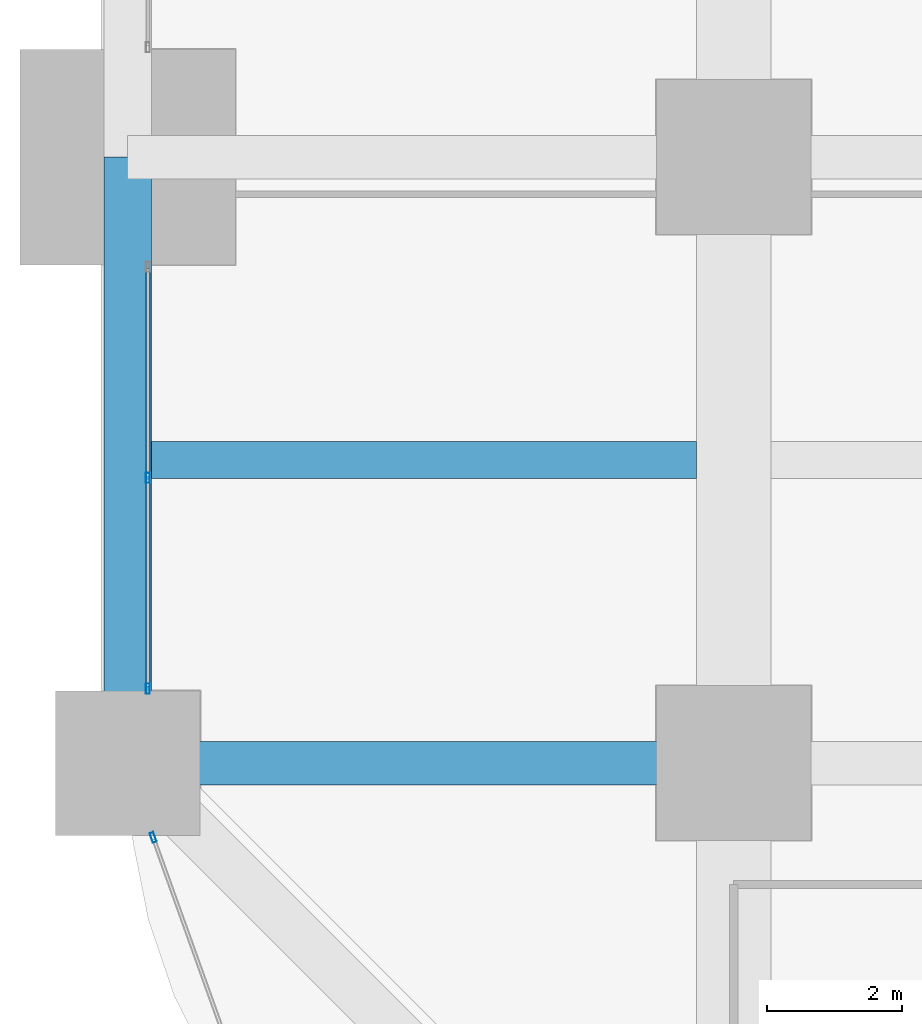
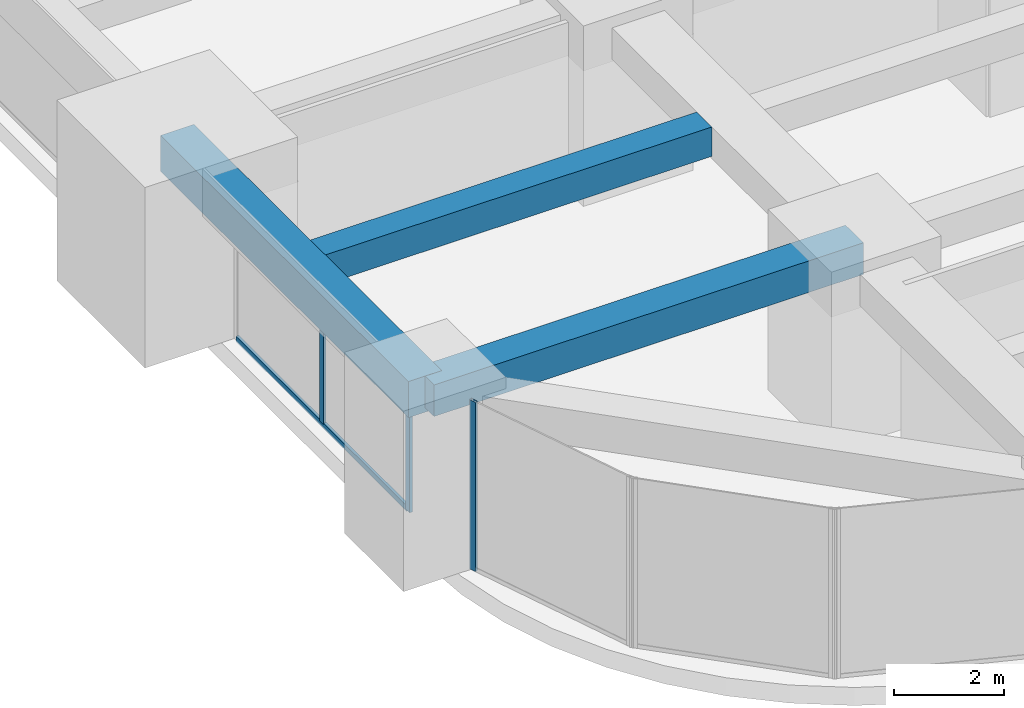
# One storey, part 4 of 50: 4 members, 3 beams, 2 elements without a shape of their own.
"""IFC4 building model written with IfcOpenShell, lengths in metres."""

from ifc_helpers import new_model, si_unit, direction, frame, origin, origin_2d, place, context, subcontext, project, spatial, rectangle, hollow_rectangle, extrude, material, material_profile, profile_set, type_object, element, aggregate, save


model = new_model("IFC4")

# Units and contexts
model_context = context("Model", 3, precision=1e-05, world=origin(), true_north=direction((0.0, 1.0)))
body_context = subcontext(model_context, "Body", "Model", "MODEL_VIEW")
ifc_project = project(units=[si_unit("LENGTHUNIT", "METRE"), si_unit("AREAUNIT", "SQUARE_METRE"), si_unit("VOLUMEUNIT", "CUBIC_METRE"), si_unit("PLANEANGLEUNIT", "RADIAN"), si_unit("MASSUNIT", "GRAM", prefix="KILO")], contexts=[model_context])

# Site, building, storey
site_placement = place(None, origin())
site = spatial("IfcSite", under=ifc_project, at=site_placement, CompositionType="ELEMENT")
building_placement = place(site_placement, origin())
building = spatial("IfcBuilding", under=site, at=building_placement, Name="Zorevar Civic Tower", CompositionType="ELEMENT")
storey_placement = place(building_placement, frame((0.0, 0.0, 85.0)))
storey = spatial("IfcBuildingStorey", under=building, at=storey_placement, Name="L20", CompositionType="ELEMENT", Elevation=85.0)

# Beams
ifc_material_1 = material(Name="Concrete C50/60", Category="concrete")
ifc_material_profile_1 = material_profile(ifc_material_1, rectangle(XDim=0.550048828125, YDim=0.64990234375, at=origin_2d()), Name="RC 550x650")
ifc_profile_set_1 = profile_set([ifc_material_profile_1], Name="Concrete C50/60")
beam_type_1 = type_object("IfcBeamType", Name="Beam RC 550x650", PredefinedType="BEAM", material=ifc_profile_set_1)
beam_1_placement = place(storey_placement, frame((0.35009765625, 13.5, 3.425048828125), z_axis=(1.0, 0.0, 0.0), x_axis=(0.0, 1.0, 0.0)))
element("IfcBeam", 1, at=beam_1_placement, inside=storey, type_object=beam_type_1, Name="Secondary beam L21", PredefinedType="BEAM", context=body_context, shape_type="SweptSolid", body=[
    extrude(rectangle(XDim=0.550048828125, YDim=0.64990234375, at=origin_2d()), origin(), (0.0, 0.0, 1.0), 8.099853515625),
])
ifc_material_2 = material(Name="Concrete C50/60", Category="concrete")
ifc_material_profile_2 = material_profile(ifc_material_2, rectangle(XDim=0.64990234375, YDim=0.699951171875, at=origin_2d()), Name="RC 650x700")
ifc_profile_set_2 = profile_set([ifc_material_profile_2], Name="Concrete C50/60")
beam_type_2 = type_object("IfcBeamType", Name="Beam RC 650x700", PredefinedType="BEAM", material=ifc_profile_set_2)
beam_2_placement = place(storey_placement, frame((0.0, 9.0, 3.39990234375), z_axis=(1.0, 0.0, 0.0), x_axis=(0.0, 1.0, 0.0)))
element("IfcBeam", 2, at=beam_2_placement, inside=storey, type_object=beam_type_2, Name="Girder L21", PredefinedType="BEAM", context=body_context, shape_type="SweptSolid", body=[
    extrude(rectangle(XDim=0.64990234375, YDim=0.699951171875, at=origin_2d()), origin(), (0.0, 0.0, 1.0), 9.0),
])

# Curtain wall, members
ifc_material_3 = material(Name="Dark grey solar-control glass in black aluminium frame", Category="aluminium")
curtain_wall_type = type_object("IfcCurtainWallType", Name="Curtain wall CW3 mid zone", PredefinedType="NOTDEFINED", material=ifc_material_3)
curtain_wall_1_placement = place(storey_placement, origin())
curtain_wall_1 = element("IfcCurtainWall", 3, at=curtain_wall_1_placement, inside=storey, type_object=curtain_wall_type, Name="CW3 L20", PredefinedType="NOTDEFINED")
ifc_material_4 = material(Name="Aluminium, black anodised", Category="aluminium")
ifc_material_profile_3 = material_profile(ifc_material_4, hollow_rectangle(XDim=0.06005859375, YDim=0.14990234375, WallThickness=0.00390625, at=origin_2d()), Name="AL 150x60x4")
ifc_profile_set_3 = profile_set([ifc_material_profile_3], Name="Aluminium, black anodised")
member_type_1 = type_object("IfcMemberType", Name="CW3 mullion AL 150x60x4", PredefinedType="MULLION", material=ifc_profile_set_3)
member_1_placement = place(storey_placement, frame((0.300048828125, 10.10498046875, 0.0), z_axis=(0.0, 0.0, 1.0), x_axis=(-1.0, 0.0, 0.0)))
member_1 = element("IfcMember", 4, at=member_1_placement, type_object=member_type_1, Name="CW3 mullion 1", PredefinedType="MULLION", context=body_context, shape_type="SweptSolid", body=[
    extrude(hollow_rectangle(XDim=0.06005859375, YDim=0.14990234375, WallThickness=0.00390625, at=origin_2d()), origin(), (0.0, 0.0, 1.0), 2.949951171875),
])
member_2_placement = place(storey_placement, frame((0.300048828125, 13.237548828125, 0.06005859375), z_axis=(0.0, 0.0, 1.0), x_axis=(-1.0, 0.0, 0.0)))
member_2 = element("IfcMember", 5, at=member_2_placement, type_object=member_type_1, Name="CW3 mullion 2", PredefinedType="MULLION", context=body_context, shape_type="SweptSolid", body=[
    extrude(hollow_rectangle(XDim=0.06005859375, YDim=0.14990234375, WallThickness=0.00390625, at=origin_2d()), origin(), (0.0, 0.0, 1.0), 2.889892578125),
])

# Curtain wall, member
curtain_wall_2_placement = place(storey_placement, origin())
curtain_wall_2 = element("IfcCurtainWall", 6, at=curtain_wall_2_placement, inside=storey, type_object=curtain_wall_type, Name="CW3 L20", PredefinedType="NOTDEFINED")
member_3_placement = place(storey_placement, frame((0.376953125, 7.896728515625, 0.0), z_axis=(0.0, 0.0, 1.0), x_axis=(0.941281589934, 0.337622523614, 0.0)))
member_3 = element("IfcMember", 7, at=member_3_placement, type_object=member_type_1, Name="CW3 mullion 1", PredefinedType="MULLION", context=body_context, shape_type="SweptSolid", body=[
    extrude(hollow_rectangle(XDim=0.06005859375, YDim=0.14990234375, WallThickness=0.00390625, at=origin_2d()), origin(), (0.0, 0.0, 1.0), 3.75),
])
aggregate(curtain_wall_2, [member_3])

# Member
ifc_material_5 = material(Name="Aluminium, black anodised", Category="aluminium")
ifc_material_profile_4 = material_profile(ifc_material_5, hollow_rectangle(XDim=0.06005859375, YDim=0.1201171875, WallThickness=0.0029296875, at=origin_2d()), Name="AL 120x60x3")
ifc_profile_set_4 = profile_set([ifc_material_profile_4], Name="Aluminium, black anodised")
member_type_2 = type_object("IfcMemberType", Name="CW3 transom AL 120x60x3", PredefinedType="USERDEFINED", material=ifc_profile_set_4)
member_4_placement = place(storey_placement, frame((0.300048828125, 10.135009765625, 0.030029296875), z_axis=(0.0, 1.0, 0.0), x_axis=(-1.0, 0.0, 0.0)))
member_4 = element("IfcMember", 8, at=member_4_placement, type_object=member_type_2, Name="CW3 sill transom", ObjectType="TRANSOM", PredefinedType="USERDEFINED", context=body_context, shape_type="SweptSolid", body=[
    extrude(hollow_rectangle(XDim=0.06005859375, YDim=0.1201171875, WallThickness=0.0029296875, at=origin_2d()), origin(), (0.0, 0.0, 1.0), 6.205078125),
])

aggregate(curtain_wall_1, [member_1, member_2, member_4])

# Beam
ifc_material_6 = material(Name="Concrete C50/60", Category="concrete")
ifc_material_profile_5 = material_profile(ifc_material_6, rectangle(XDim=0.699951171875, YDim=0.800048828125, at=origin_2d()), Name="RC 700x800")
ifc_profile_set_5 = profile_set([ifc_material_profile_5], Name="Concrete C50/60")
beam_type_3 = type_object("IfcBeamType", Name="Edge beam RC 700x800", PredefinedType="SPANDREL", material=ifc_profile_set_5)
beam_3_placement = place(storey_placement, frame((0.0, 9.0, 3.35009765625), z_axis=(0.0, 1.0, 0.0), x_axis=(-1.0, 0.0, 0.0)))
element("IfcBeam", 9, at=beam_3_placement, inside=storey, type_object=beam_type_3, Name="Edge beam L21", PredefinedType="SPANDREL", context=body_context, shape_type="SweptSolid", body=[
    extrude(rectangle(XDim=0.699951171875, YDim=0.800048828125, at=origin_2d()), origin(), (0.0, 0.0, 1.0), 9.0),
])

save(model, "model.ifc")
